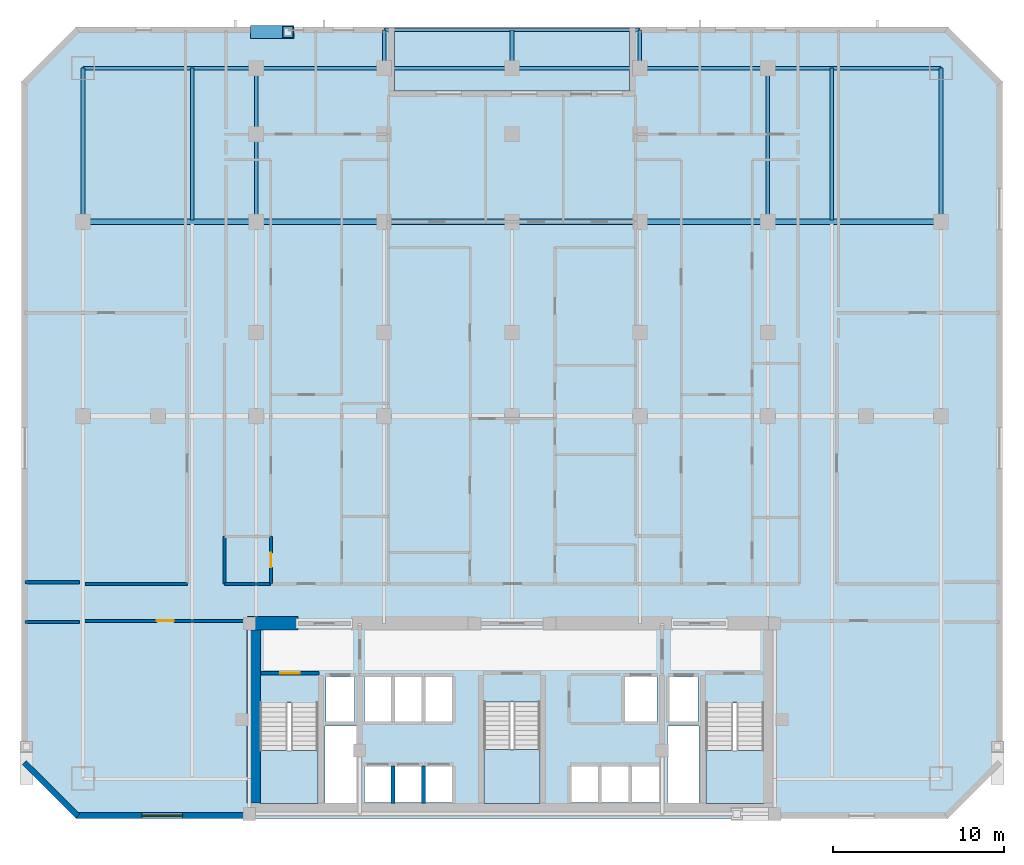
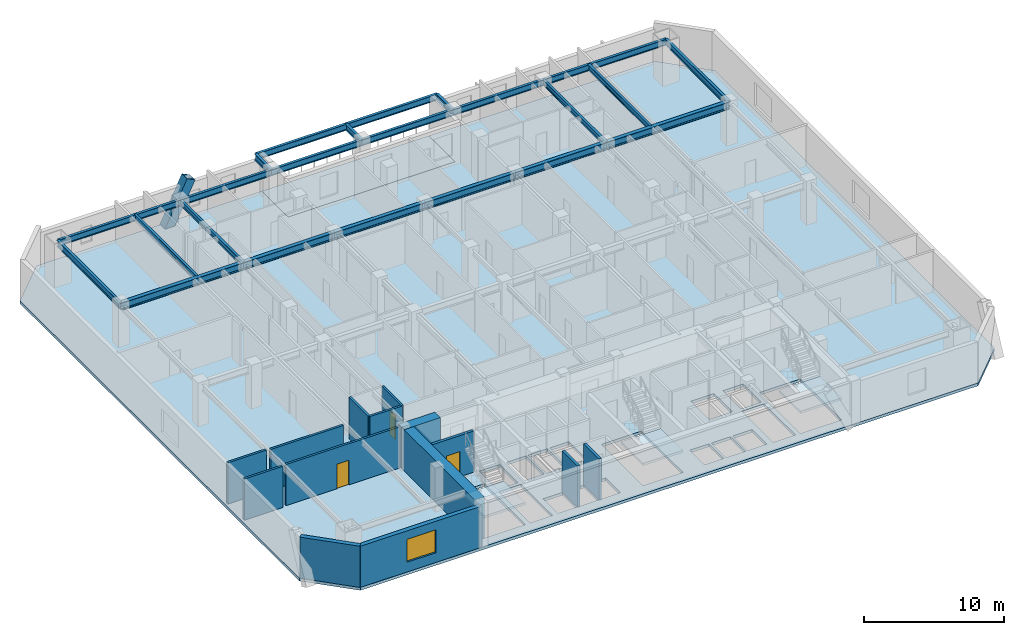
# One storey, part 2 of 10: 23 beams, 14 walls, 5 slabs, 3 doors, 1 member, 1 window, 4 openings, 3 elements without a shape of their own.
"""IFC4 building model written with IfcOpenShell, lengths in metres."""

import ifcopenshell
import ifcopenshell.guid

model = None  # the IFC model being written
_history = None  # IfcOwnerHistory: only IFC2X3 demands one
_inside = {}  # id of a spatial element -> (the spatial element, [elements in it])
_under = {}  # id of a project, library or spatial element -> (it, [spatial elements below it])
_declared = {}  # id of a project -> (the project, [libraries it declares])
_typed = {}  # id of a type object -> (the type object, [elements of that type])
_made_of = {}  # id of a material, layer set ... -> (it, [elements and type objects made of it])


def new_model(schema):
    """Start an empty IFC model of exactly this schema.

    Asked for "IFC4X3", IfcOpenShell would pick the latest addendum, in which some entities
    have other attributes; the version numbers below select the first issue.
    IFC2X3 requires an IfcOwnerHistory on every rooted entity: one is made here for all.
    """
    global model, _history
    if schema == "IFC4X3":
        model = ifcopenshell.file(schema_version=(4, 3, 0, 0))
    else:
        model = ifcopenshell.file(schema=schema)
    _inside.clear()
    _under.clear()
    _declared.clear()
    _typed.clear()
    _made_of.clear()
    _history = None
    if model.schema == "IFC2X3":
        org = make("IfcOrganization", Name="unknown")
        user = make(
            "IfcPersonAndOrganization",
            ThePerson=make("IfcPerson", FamilyName="unknown"),
            TheOrganization=org,
        )
        app = make(
            "IfcApplication",
            ApplicationDeveloper=org,
            Version="unknown",
            ApplicationFullName="unknown",
            ApplicationIdentifier="unknown",
        )
        _history = make(
            "IfcOwnerHistory",
            OwningUser=user,
            OwningApplication=app,
            ChangeAction="ADDED",
            CreationDate=0,
        )
    return model


def make(cls, **values):
    """One entity of the class cls with the attributes given. An attribute that is None is left unset."""
    return model.create_entity(
        cls, **{name: value for name, value in values.items() if value is not None}
    )


def rooted(cls, **values):
    """An entity with a GlobalId (a new one), such as an element, a storey or a relation."""
    return make(cls, GlobalId=ifcopenshell.guid.new(), OwnerHistory=_history, **values)


def si_unit(unit_type, name, prefix=None):
    """IfcSIUnit, for example si_unit("LENGTHUNIT", "METRE", prefix="MILLI")."""
    return make("IfcSIUnit", UnitType=unit_type, Prefix=prefix, Name=name)


def assignment(units):
    """IfcUnitAssignment: the units of a project."""
    return None if units is None else make("IfcUnitAssignment", Units=units)


def point(xyz):
    """IfcCartesianPoint."""
    return None if xyz is None else make("IfcCartesianPoint", Coordinates=xyz)


def direction(xyz):
    """IfcDirection."""
    return None if xyz is None else make("IfcDirection", DirectionRatios=xyz)


def frame(location, z_axis=None, x_axis=None):
    """IfcAxis2Placement3D, a coordinate frame: its origin and axes. An axis left out is left unset."""
    return make(
        "IfcAxis2Placement3D",
        Location=point(location),
        Axis=direction(z_axis),
        RefDirection=direction(x_axis),
    )


def frame_2d(location, x_axis=None):
    """IfcAxis2Placement2D, a coordinate frame in the plane: its origin and x axis."""
    return make(
        "IfcAxis2Placement2D", Location=point(location), RefDirection=direction(x_axis)
    )


def origin():
    """The frame at (0, 0, 0) with its axes left unset."""
    return frame((0.0, 0.0, 0.0))


def origin_2d():
    """The frame at (0, 0) in the plane with its x axis left unset."""
    return frame_2d((0.0, 0.0))


def place(relative_to, where):
    """IfcLocalPlacement: puts the frame where relative to a parent placement (None: the world)."""
    return make(
        "IfcLocalPlacement", PlacementRelTo=relative_to, RelativePlacement=where
    )


def context(
    kind, dimensions, precision=None, world=None, true_north=None, identifier=None
):
    """IfcGeometricRepresentationContext, for example the 3D "Model" context."""
    return make(
        "IfcGeometricRepresentationContext",
        ContextIdentifier=identifier,
        ContextType=kind,
        CoordinateSpaceDimension=dimensions,
        Precision=precision,
        WorldCoordinateSystem=world,
        TrueNorth=true_north,
    )


def subcontext(parent, identifier, kind, view, scale=None):
    """IfcGeometricRepresentationSubContext, for example "Body" below "Model"."""
    return make(
        "IfcGeometricRepresentationSubContext",
        ContextIdentifier=identifier,
        ContextType=kind,
        ParentContext=parent,
        TargetScale=scale,
        TargetView=view,
    )


def project(units=None, contexts=None):
    """IfcProject with its units and contexts."""
    return rooted(
        "IfcProject",
        Name="project",
        RepresentationContexts=contexts,
        UnitsInContext=assignment(units),
    )


def spatial(cls, under=None, at=None, **own):
    """A site, building, storey or space (cls), placed at a placement, below another one or the project."""
    s = rooted(cls, ObjectPlacement=at, **own)
    if under is not None:
        _under.setdefault(under.id(), (under, []))[1].append(s)
    return s


def polyline(points):
    """IfcPolyline through the points."""
    return make("IfcPolyline", Points=[point(p) for p in points])


def profile(cls, at=None, kind="AREA", **sizes):
    """A parametric profile (cls). Its sizes go by their IFC names, for example OverallWidth=200.0."""
    return make(cls, ProfileType=kind, Position=at, **sizes)


def rectangle(**sizes):
    """IfcRectangleProfileDef."""
    return profile("IfcRectangleProfileDef", **sizes)


def hollow_rectangle(**sizes):
    """IfcRectangleHollowProfileDef."""
    return profile("IfcRectangleHollowProfileDef", **sizes)


def i_section(**sizes):
    """IfcIShapeProfileDef."""
    return profile("IfcIShapeProfileDef", **sizes)


def outline(outer, holes=None, kind="AREA"):
    """IfcArbitraryClosedProfileDef: a profile drawn as a closed curve; with holes, ...WithVoids."""
    if holes is None:
        return make("IfcArbitraryClosedProfileDef", ProfileType=kind, OuterCurve=outer)
    return make(
        "IfcArbitraryProfileDefWithVoids",
        ProfileType=kind,
        OuterCurve=outer,
        InnerCurves=holes,
    )


def extrude(swept, where, along, depth):
    """IfcExtrudedAreaSolid: the profile swept, set in the frame where, extruded along a direction by depth."""
    return make(
        "IfcExtrudedAreaSolid",
        SweptArea=swept,
        Position=where,
        ExtrudedDirection=direction(along),
        Depth=depth,
    )


def shape(context_of_items, identifier, shape_type, items):
    """IfcShapeRepresentation: the items that make up one representation, for example the "Body"."""
    return make(
        "IfcShapeRepresentation",
        ContextOfItems=context_of_items,
        RepresentationIdentifier=identifier,
        RepresentationType=shape_type,
        Items=items,
    )


def material(Name=None, Category=None):
    """IfcMaterial."""
    return make("IfcMaterial", Name=Name, Category=Category)


def layer(
    of_material, thickness, ventilated=None, Name=None, Category=None, Priority=None
):
    """IfcMaterialLayer: one layer of a wall or slab, of a material (None: an air gap)."""
    return make(
        "IfcMaterialLayer",
        Material=of_material,
        LayerThickness=thickness,
        IsVentilated=ventilated,
        Name=Name,
        Category=Category,
        Priority=Priority,
    )


def layer_set(layers, Name=None):
    """IfcMaterialLayerSet."""
    return make("IfcMaterialLayerSet", MaterialLayers=layers, LayerSetName=Name)


def material_profile(
    of_material, cross_section, Name=None, Category=None, Priority=None
):
    """IfcMaterialProfile: a cross section and its material."""
    return make(
        "IfcMaterialProfile",
        Name=Name,
        Material=of_material,
        Profile=cross_section,
        Priority=Priority,
        Category=Category,
    )


def profile_set(profiles, Name=None, composite=None):
    """IfcMaterialProfileSet."""
    return make(
        "IfcMaterialProfileSet",
        Name=Name,
        MaterialProfiles=profiles,
        CompositeProfile=composite,
    )


def made_of(thing, what):
    """Note that an element or type object is made of a material, layer set ...; save() writes the relation."""
    if what is not None:
        _made_of.setdefault(what.id(), (what, []))[1].append(thing)
    return thing


def type_object(cls, material=None, **own):
    """A type object (cls), such as IfcWallType, which elements share."""
    return made_of(rooted(cls, **own), material)


def element(
    cls,
    number,
    at=None,
    inside=None,
    cuts=None,
    type_object=None,
    material=None,
    context=None,
    identifier="Body",
    shape_type=None,
    held_by="IfcProductDefinitionShape",
    body=None,
    shapes=None,
    **own,
):
    """One element of the class cls, such as IfcWall. Its Tag is "e" and its number.

    at: its placement. inside: the storey or other place that contains it. cuts: it is an
    opening in that element (IfcRelVoidsElement). A single representation is given by context,
    identifier, shape_type and body (its items); several are given by shapes. held_by: the class
    of the entity that holds the representations. save() writes the other relations.
    """
    e = rooted(cls, Tag="e%d" % number, ObjectPlacement=at, **own)
    if body is not None:
        shapes = [shape(context, identifier, shape_type, body)]
    if shapes is not None:
        e.Representation = make(held_by, Representations=shapes)
    if inside is not None:
        _inside.setdefault(inside.id(), (inside, []))[1].append(e)
    if cuts is not None:
        rooted(
            "IfcRelVoidsElement", RelatingBuildingElement=cuts, RelatedOpeningElement=e
        )
    if type_object is not None:
        _typed.setdefault(type_object.id(), (type_object, []))[1].append(e)
    return made_of(e, material)


def fill(opening, filler):
    """IfcRelFillsElement: the door or window that sits in an opening."""
    return rooted(
        "IfcRelFillsElement",
        RelatingOpeningElement=opening,
        RelatedBuildingElement=filler,
    )


def aggregate(whole, parts):
    """IfcRelAggregates: a whole, such as a stair, and the parts it consists of."""
    return rooted("IfcRelAggregates", RelatingObject=whole, RelatedObjects=parts)


def save(model, path):
    """Write the relations noted so far, then the file.

    IfcRelAggregates (storeys below a building ...), IfcRelContainedInSpatialStructure (elements
    in a storey), IfcRelDefinesByType, IfcRelAssociatesMaterial and IfcRelDeclares: one each for
    every whole, place, type object, material and project.
    """
    for whole, parts in _under.values():
        aggregate(whole, parts)
    for where, things in _inside.values():
        rooted(
            "IfcRelContainedInSpatialStructure",
            RelatedElements=things,
            RelatingStructure=where,
        )
    for kind, things in _typed.values():
        rooted("IfcRelDefinesByType", RelatedObjects=things, RelatingType=kind)
    for what, things in _made_of.values():
        rooted("IfcRelAssociatesMaterial", RelatedObjects=things, RelatingMaterial=what)
    for by, libraries in _declared.values():
        rooted("IfcRelDeclares", RelatingContext=by, RelatedDefinitions=libraries)
    model.write(path)


model = new_model("IFC4")

# Units and contexts
model_context = context("Model", 3, precision=1e-05, world=origin(), true_north=direction((0.0, 1.0)))
body_context = subcontext(model_context, "Body", "Model", "MODEL_VIEW")
ifc_project = project(units=[si_unit("LENGTHUNIT", "METRE"), si_unit("AREAUNIT", "SQUARE_METRE"), si_unit("VOLUMEUNIT", "CUBIC_METRE"), si_unit("PLANEANGLEUNIT", "RADIAN"), si_unit("MASSUNIT", "GRAM", prefix="KILO")], contexts=[model_context])

# Site, building, storey
site_placement = place(None, origin())
site = spatial("IfcSite", under=ifc_project, at=site_placement, CompositionType="ELEMENT")
building_placement = place(site_placement, origin())
building = spatial("IfcBuilding", under=site, at=building_placement, Name="Ventersveld Concourse Tower", CompositionType="ELEMENT")
storey_placement = place(building_placement, frame((0.0, 0.0, 60.60009765625)))
storey = spatial("IfcBuildingStorey", under=building, at=storey_placement, Name="L14", CompositionType="ELEMENT", Elevation=60.60009765625)

# Beams
ifc_material_1 = material(Name="Structural steel S355J2", Category="steel")
ifc_material_profile_1 = material_profile(ifc_material_1, i_section(OverallWidth=0.19140625, OverallDepth=0.4599609375, WebThickness=0.010009765625, FlangeThickness=0.01611328125, FilletRadius=0.01025390625, at=origin_2d()), Name="UB 457x191x82")
ifc_profile_set_1 = profile_set([ifc_material_profile_1], Name="Structural steel S355J2")
beam_type_1 = type_object("IfcBeamType", Name="BM-UB457H", PredefinedType="BEAM", material=ifc_profile_set_1)
beam_1_placement = place(storey_placement, frame((10.0, 35.094970703125, 3.369873046875), z_axis=(0.0, 1.0, 0.0), x_axis=(-1.0, 0.0, 0.0)))
element("IfcBeam", 1, at=beam_1_placement, inside=storey, type_object=beam_type_1, Name="L14 N-S Composite Floor Beam North X=10.00", PredefinedType="BEAM", context=body_context, shape_type="SweptSolid", body=[
    extrude(i_section(OverallWidth=0.19140625, OverallDepth=0.4599609375, WebThickness=0.010009765625, FlangeThickness=0.01611328125, FilletRadius=0.01025390625, at=origin_2d()), origin(), (0.0, 0.0, 1.0), 8.905029296875),
])
for number, where, z_axis, x_axis, name in (
    (2, (13.75, 35.0, 3.369873046875), (0.0, 1.0, 0.0), (-1.0, 0.0, 0.0), "L14 N-S Composite Floor Beam North X=13.75"),
    (3, (43.75, 35.0, 3.369873046875), (0.0, 1.0, 0.0), (-1.0, 0.0, 0.0), "L14 N-S Composite Floor Beam North X=43.75"),
):
    element("IfcBeam", number, at=place(storey_placement, frame(where, z_axis=z_axis, x_axis=x_axis)), inside=storey, type_object=beam_type_1, Name=name, PredefinedType="BEAM", context=body_context, shape_type="SweptSolid", body=[
        extrude(i_section(OverallWidth=0.19140625, OverallDepth=0.4599609375, WebThickness=0.010009765625, FlangeThickness=0.01611328125, FilletRadius=0.01025390625, at=origin_2d()), origin(), (0.0, 0.0, 1.0), 9.0),
    ])
beam_2_placement = place(storey_placement, frame((47.5, 35.094970703125, 3.369873046875), z_axis=(0.0, 1.0, 0.0), x_axis=(-1.0, 0.0, 0.0)))
element("IfcBeam", 4, at=beam_2_placement, inside=storey, type_object=beam_type_1, Name="L14 N-S Composite Floor Beam North X=47.50", PredefinedType="BEAM", context=body_context, shape_type="SweptSolid", body=[
    extrude(i_section(OverallWidth=0.19140625, OverallDepth=0.4599609375, WebThickness=0.010009765625, FlangeThickness=0.01611328125, FilletRadius=0.01025390625, at=origin_2d()), origin(), (0.0, 0.0, 1.0), 8.905029296875),
])
ifc_material_profile_2 = material_profile(ifc_material_1, i_section(OverallWidth=0.311279296875, OverallDepth=0.6357421875, WebThickness=0.018310546875, FlangeThickness=0.031494140625, FilletRadius=0.0166015625, at=origin_2d()), Name="UB 610x305x238")
ifc_profile_set_2 = profile_set([ifc_material_profile_2], Name="Structural steel S355J2")
beam_type_2 = type_object("IfcBeamType", Name="GRD-UB610H", PredefinedType="USERDEFINED", material=ifc_profile_set_2)
beam_3_placement = place(storey_placement, frame((3.60009765625, 35.0, 3.281982421875), z_axis=(1.0, 0.0, 0.0), x_axis=(0.0, 1.0, 0.0)))
element("IfcBeam", 5, at=beam_3_placement, inside=storey, type_object=beam_type_2, Name="L14 E-W Grid Girder Y=35.00 #1", ObjectType="GIRDER", PredefinedType="USERDEFINED", context=body_context, shape_type="SweptSolid", body=[
    extrude(i_section(OverallWidth=0.311279296875, OverallDepth=0.6357421875, WebThickness=0.018310546875, FlangeThickness=0.031494140625, FilletRadius=0.0166015625, at=origin_2d()), origin(), (0.0, 0.0, 1.0), 10.14990234375),
])
for number, where, z_axis, x_axis, name in (
    (6, (13.75, 35.0, 3.281982421875), (1.0, 0.0, 0.0), (0.0, 1.0, 0.0), "L14 E-W Grid Girder Y=35.00 #2"),
    (7, (21.25, 35.0, 3.281982421875), (1.0, 0.0, 0.0), (0.0, 1.0, 0.0), "L14 E-W Grid Girder Y=35.00 #3"),
    (8, (28.75, 35.0, 3.281982421875), (1.0, 0.0, 0.0), (0.0, 1.0, 0.0), "L14 E-W Grid Girder Y=35.00 #4"),
    (9, (36.25, 35.0, 3.281982421875), (1.0, 0.0, 0.0), (0.0, 1.0, 0.0), "L14 E-W Grid Girder Y=35.00 #5"),
):
    element("IfcBeam", number, at=place(storey_placement, frame(where, z_axis=z_axis, x_axis=x_axis)), inside=storey, type_object=beam_type_2, Name=name, ObjectType="GIRDER", PredefinedType="USERDEFINED", context=body_context, shape_type="SweptSolid", body=[
        extrude(i_section(OverallWidth=0.311279296875, OverallDepth=0.6357421875, WebThickness=0.018310546875, FlangeThickness=0.031494140625, FilletRadius=0.0166015625, at=origin_2d()), origin(), (0.0, 0.0, 1.0), 7.5),
    ])
beam_4_placement = place(storey_placement, frame((43.75, 35.0, 3.281982421875), z_axis=(1.0, 0.0, 0.0), x_axis=(0.0, 1.0, 0.0)))
element("IfcBeam", 10, at=beam_4_placement, inside=storey, type_object=beam_type_2, Name="L14 E-W Grid Girder Y=35.00 #6", ObjectType="GIRDER", PredefinedType="USERDEFINED", context=body_context, shape_type="SweptSolid", body=[
    extrude(i_section(OverallWidth=0.311279296875, OverallDepth=0.6357421875, WebThickness=0.018310546875, FlangeThickness=0.031494140625, FilletRadius=0.0166015625, at=origin_2d()), origin(), (0.0, 0.0, 1.0), 10.14990234375),
])

# Member
ifc_material_2 = material(Name="Structural steel S355ML", Category="steel")
ifc_material_profile_3 = material_profile(ifc_material_2, hollow_rectangle(XDim=0.75, YDim=0.75, WallThickness=0.044921875, at=origin_2d()), Name="BOX 750x750x45")
ifc_profile_set_3 = profile_set([ifc_material_profile_3], Name="Structural steel S355ML")
member_type = type_object("IfcMemberType", Name="MB-750x750", PredefinedType="BRACE", material=ifc_profile_set_3)
member_placement = place(storey_placement, frame((13.75, 46.1201171875, -0.25), z_axis=(0.437861906815, 0.0, 0.899042240699), x_axis=(0.0, 1.0, 0.0)))
element("IfcMember", 11, at=member_placement, inside=storey, type_object=member_type, Name="L14 Exterior Mega-Brace N (Module M03)", PredefinedType="BRACE", context=body_context, shape_type="SweptSolid", body=[
    extrude(hollow_rectangle(XDim=0.75, YDim=0.75, WallThickness=0.044921875, at=origin_2d()), origin(), (0.0, 0.0, 1.0), 4.2822265625),
])

# Beams
ifc_material_profile_4 = material_profile(ifc_material_1, i_section(OverallWidth=0.2119140625, OverallDepth=0.54443359375, WebThickness=0.0126953125, FlangeThickness=0.021240234375, FilletRadius=0.0126953125, at=origin_2d()), Name="UB 533x210x122")
ifc_profile_set_4 = profile_set([ifc_material_profile_4], Name="Structural steel S355J2")
beam_type_3 = type_object("IfcBeamType", Name="SPD-UB533", PredefinedType="SPANDREL", material=ifc_profile_set_4)
for number, where, z_axis, x_axis, name in (
    (12, (3.60009765625, 35.0, 3.32763671875), (0.0, 1.0, 0.0), (-1.0, 0.0, 0.0), "L14 West Spandrel Beam N"),
    (13, (53.89990234375, 35.0, 3.32763671875), (0.0, 1.0, 0.0), (-1.0, 0.0, 0.0), "L14 East Spandrel Beam N"),
):
    element("IfcBeam", number, at=place(storey_placement, frame(where, z_axis=z_axis, x_axis=x_axis)), inside=storey, type_object=beam_type_3, Name=name, PredefinedType="SPANDREL", context=body_context, shape_type="SweptSolid", body=[
        extrude(i_section(OverallWidth=0.2119140625, OverallDepth=0.54443359375, WebThickness=0.0126953125, FlangeThickness=0.021240234375, FilletRadius=0.0126953125, at=origin_2d()), origin(), (0.0, 0.0, 1.0), 9.0),
    ])
for number, where, z_axis, x_axis, name in (
    (14, (21.25, 44.0, 3.32763671875), (0.0, 1.0, 0.0), (-1.0, 0.0, 0.0), "L14 Terrace Bracket W"),
    (15, (28.75, 44.0, 3.32763671875), (0.0, 1.0, 0.0), (-1.0, 0.0, 0.0), "L14 Terrace Bracket C"),
    (16, (36.25, 44.0, 3.32763671875), (0.0, 1.0, 0.0), (-1.0, 0.0, 0.0), "L14 Terrace Bracket E"),
):
    element("IfcBeam", number, at=place(storey_placement, frame(where, z_axis=z_axis, x_axis=x_axis)), inside=storey, type_object=beam_type_3, Name=name, PredefinedType="SPANDREL", context=body_context, shape_type="SweptSolid", body=[
        extrude(i_section(OverallWidth=0.2119140625, OverallDepth=0.54443359375, WebThickness=0.0126953125, FlangeThickness=0.021240234375, FilletRadius=0.0126953125, at=origin_2d()), origin(), (0.0, 0.0, 1.0), 2.25),
    ])
for number, where, z_axis, x_axis, name in (
    (17, (21.25, 46.25, 3.32763671875), (1.0, 0.0, 0.0), (0.0, 1.0, 0.0), "L14 Terrace Edge Spandrel W"),
    (18, (28.75, 46.25, 3.32763671875), (1.0, 0.0, 0.0), (0.0, 1.0, 0.0), "L14 Terrace Edge Spandrel E"),
):
    element("IfcBeam", number, at=place(storey_placement, frame(where, z_axis=z_axis, x_axis=x_axis)), inside=storey, type_object=beam_type_3, Name=name, PredefinedType="SPANDREL", context=body_context, shape_type="SweptSolid", body=[
        extrude(i_section(OverallWidth=0.2119140625, OverallDepth=0.54443359375, WebThickness=0.0126953125, FlangeThickness=0.021240234375, FilletRadius=0.0126953125, at=origin_2d()), origin(), (0.0, 0.0, 1.0), 7.5),
    ])
beam_5_placement = place(storey_placement, frame((3.60009765625, 44.0, 3.32763671875), z_axis=(1.0, 0.0, 0.0), x_axis=(0.0, 1.0, 0.0)))
element("IfcBeam", 19, at=beam_5_placement, inside=storey, type_object=beam_type_3, Name="L14 North Spandrel Girder Y=44.00 #1", PredefinedType="SPANDREL", context=body_context, shape_type="SweptSolid", body=[
    extrude(i_section(OverallWidth=0.2119140625, OverallDepth=0.54443359375, WebThickness=0.0126953125, FlangeThickness=0.021240234375, FilletRadius=0.0126953125, at=origin_2d()), origin(), (0.0, 0.0, 1.0), 10.14990234375),
])
for number, where, z_axis, x_axis, name in (
    (20, (13.75, 44.0, 3.32763671875), (1.0, 0.0, 0.0), (0.0, 1.0, 0.0), "L14 North Spandrel Girder Y=44.00 #2"),
    (21, (21.25, 44.0, 3.32763671875), (1.0, 0.0, 0.0), (0.0, 1.0, 0.0), "L14 North Spandrel Girder Y=44.00 #3"),
    (22, (28.75, 44.0, 3.32763671875), (1.0, 0.0, 0.0), (0.0, 1.0, 0.0), "L14 North Spandrel Girder Y=44.00 #4"),
    (23, (36.25, 44.0, 3.32763671875), (1.0, 0.0, 0.0), (0.0, 1.0, 0.0), "L14 North Spandrel Girder Y=44.00 #5"),
):
    element("IfcBeam", number, at=place(storey_placement, frame(where, z_axis=z_axis, x_axis=x_axis)), inside=storey, type_object=beam_type_3, Name=name, PredefinedType="SPANDREL", context=body_context, shape_type="SweptSolid", body=[
        extrude(i_section(OverallWidth=0.2119140625, OverallDepth=0.54443359375, WebThickness=0.0126953125, FlangeThickness=0.021240234375, FilletRadius=0.0126953125, at=origin_2d()), origin(), (0.0, 0.0, 1.0), 7.5),
    ])
beam_6_placement = place(storey_placement, frame((43.75, 44.0, 3.32763671875), z_axis=(1.0, 0.0, 0.0), x_axis=(0.0, 1.0, 0.0)))
element("IfcBeam", 24, at=beam_6_placement, inside=storey, type_object=beam_type_3, Name="L14 North Spandrel Girder Y=44.00 #6", PredefinedType="SPANDREL", context=body_context, shape_type="SweptSolid", body=[
    extrude(i_section(OverallWidth=0.2119140625, OverallDepth=0.54443359375, WebThickness=0.0126953125, FlangeThickness=0.021240234375, FilletRadius=0.0126953125, at=origin_2d()), origin(), (0.0, 0.0, 1.0), 10.14990234375),
])

# Slabs
ifc_material_3 = material(Name="Concrete C50/60", Category="concrete")
ifc_layer_1 = layer(ifc_material_3, 0.25)
ifc_layer_set_1 = layer_set([ifc_layer_1], Name="Concrete C50/60")
slab_type_1 = type_object("IfcSlabType", Name="SL-FLR-250", PredefinedType="FLOOR", material=ifc_layer_set_1)
slab_1_placement = place(storey_placement, frame((0.0, 0.0, -0.25)))
element("IfcSlab", 25, at=slab_1_placement, inside=storey, type_object=slab_type_1, Name="L14 Composite Floor Slab", PredefinedType="FLOOR", context=body_context, shape_type="SweptSolid", body=[
    extrude(outline(polyline([(3.199951171875, 0.0), (54.300048828125, 0.0), (57.5, 3.199951171875), (57.5, 43.199951171875), (54.300048828125, 46.39990234375), (35.64990234375, 46.39990234375), (35.64990234375, 42.64990234375), (21.85009765625, 42.64990234375), (21.85009765625, 46.39990234375), (3.199951171875, 46.39990234375), (0.0, 43.199951171875), (0.0, 3.199951171875), (3.199951171875, 0.0)]), holes=[polyline([(13.97998046875, 6.794921875), (13.97998046875, 0.89990234375), (17.3798828125, 0.89990234375), (17.3798828125, 6.794921875), (13.97998046875, 6.794921875)]), polyline([(40.1201171875, 6.794921875), (40.1201171875, 0.89990234375), (43.52001953125, 0.89990234375), (43.52001953125, 6.794921875), (40.1201171875, 6.794921875)]), polyline([(27.10009765625, 6.844970703125), (27.10009765625, 0.89990234375), (30.39990234375, 0.89990234375), (30.39990234375, 6.844970703125), (27.10009765625, 6.844970703125)]), polyline([(17.85009765625, 5.699951171875), (19.530029296875, 5.699951171875), (19.530029296875, 8.300048828125), (17.85009765625, 8.300048828125), (17.85009765625, 5.699951171875)]), polyline([(37.969970703125, 5.699951171875), (39.64990234375, 5.699951171875), (39.64990234375, 8.300048828125), (37.969970703125, 8.300048828125), (37.969970703125, 5.699951171875)]), polyline([(35.35009765625, 5.699951171875), (37.25, 5.699951171875), (37.25, 8.300048828125), (35.35009765625, 8.300048828125), (35.35009765625, 5.699951171875)]), polyline([(20.090087890625, 0.949951171875), (21.68994140625, 0.949951171875), (21.68994140625, 3.050048828125), (20.090087890625, 3.050048828125), (20.090087890625, 0.949951171875)]), polyline([(21.8701171875, 0.949951171875), (23.469970703125, 0.949951171875), (23.469970703125, 3.050048828125), (21.8701171875, 3.050048828125), (21.8701171875, 0.949951171875)]), polyline([(23.64990234375, 0.949951171875), (25.25, 0.949951171875), (25.25, 3.050048828125), (23.64990234375, 3.050048828125), (23.64990234375, 0.949951171875)]), polyline([(32.2099609375, 0.949951171875), (33.81005859375, 0.949951171875), (33.81005859375, 3.050048828125), (32.2099609375, 3.050048828125), (32.2099609375, 0.949951171875)]), polyline([(33.989990234375, 0.949951171875), (35.590087890625, 0.949951171875), (35.590087890625, 3.050048828125), (33.989990234375, 3.050048828125), (33.989990234375, 0.949951171875)]), polyline([(35.77001953125, 0.949951171875), (37.3701171875, 0.949951171875), (37.3701171875, 3.050048828125), (35.77001953125, 3.050048828125), (35.77001953125, 0.949951171875)]), polyline([(20.090087890625, 5.699951171875), (21.68994140625, 5.699951171875), (21.68994140625, 8.300048828125), (20.090087890625, 8.300048828125), (20.090087890625, 5.699951171875)]), polyline([(21.8701171875, 5.699951171875), (23.469970703125, 5.699951171875), (23.469970703125, 8.300048828125), (21.8701171875, 8.300048828125), (21.8701171875, 5.699951171875)]), polyline([(23.64990234375, 5.699951171875), (25.25, 5.699951171875), (25.25, 8.300048828125), (23.64990234375, 8.300048828125), (23.64990234375, 5.699951171875)]), polyline([(17.780029296875, 0.919921875), (19.6201171875, 0.919921875), (19.6201171875, 5.419921875), (17.780029296875, 5.419921875), (17.780029296875, 0.919921875)]), polyline([(37.8798828125, 0.919921875), (39.719970703125, 0.919921875), (39.719970703125, 5.419921875), (37.8798828125, 5.419921875), (37.8798828125, 0.919921875)])]), origin(), (0.0, 0.0, 1.0), 0.25),
])
slab_2_placement = place(storey_placement, frame((0.0, 0.0, -0.25)))
element("IfcSlab", 26, at=slab_2_placement, inside=storey, type_object=slab_type_1, Name="L14 Outdoor Terrace Slab NOTCH-N", PredefinedType="FLOOR", context=body_context, shape_type="SweptSolid", body=[
    extrude(outline(polyline([(21.85009765625, 42.64990234375), (35.64990234375, 42.64990234375), (35.64990234375, 46.39990234375), (21.85009765625, 46.39990234375), (21.85009765625, 42.64990234375)])), origin(), (0.0, 0.0, 1.0), 0.25),
])

# Stair, slab
stair_type_1 = type_object("IfcStairType", Name="ST-DOG-160", PredefinedType="HALF_TURN_STAIR", material=ifc_material_3)
stair_1_placement = place(storey_placement, origin())
stair_1 = element("IfcStair", 27, at=stair_1_placement, inside=storey, type_object=stair_type_1, Name="L14 Protected Tower Escape Stair ST-01", PredefinedType="HALF_TURN_STAIR")
ifc_layer_2 = layer(ifc_material_3, 0.199951171875)
ifc_layer_set_2 = layer_set([ifc_layer_2], Name="Concrete C50/60")
slab_type_2 = type_object("IfcSlabType", Name="SL-LND-200", PredefinedType="LANDING", material=ifc_layer_set_2)
slab_3_placement = place(storey_placement, frame((0.0, 0.0, 1.724853515625)))
slab_3 = element("IfcSlab", 28, at=slab_3_placement, type_object=slab_type_2, Name="ST-01 landing 1", PredefinedType="LANDING", context=body_context, shape_type="SweptSolid", body=[
    extrude(outline(polyline([(13.97998046875, 4.0), (13.97998046875, 0.89990234375), (17.3798828125, 0.89990234375), (17.3798828125, 4.0), (13.97998046875, 4.0)])), origin(), (0.0, 0.0, 1.0), 0.199951171875),
])
aggregate(stair_1, [slab_3])

stair_2_placement = place(storey_placement, origin())
stair_2 = element("IfcStair", 29, at=stair_2_placement, inside=storey, type_object=stair_type_1, Name="L14 Protected Tower Escape Stair ST-02", PredefinedType="HALF_TURN_STAIR")
slab_4_placement = place(storey_placement, frame((0.0, 0.0, 1.724853515625)))
slab_4 = element("IfcSlab", 30, at=slab_4_placement, type_object=slab_type_2, Name="ST-02 landing 1", PredefinedType="LANDING", context=body_context, shape_type="SweptSolid", body=[
    extrude(outline(polyline([(40.1201171875, 4.0), (40.1201171875, 0.89990234375), (43.52001953125, 0.89990234375), (43.52001953125, 4.0), (40.1201171875, 4.0)])), origin(), (0.0, 0.0, 1.0), 0.199951171875),
])
aggregate(stair_2, [slab_4])

stair_type_2 = type_object("IfcStairType", Name="ST-DOG-155", PredefinedType="HALF_TURN_STAIR", material=ifc_material_3)
stair_3_placement = place(storey_placement, origin())
stair_3 = element("IfcStair", 31, at=stair_3_placement, inside=storey, type_object=stair_type_2, Name="L14 Protected Central Core Escape Stair ST-03", PredefinedType="HALF_TURN_STAIR")
slab_5_placement = place(storey_placement, frame((0.0, 0.0, 1.724853515625)))
slab_5 = element("IfcSlab", 32, at=slab_5_placement, type_object=slab_type_2, Name="ST-03 landing 1", PredefinedType="LANDING", context=body_context, shape_type="SweptSolid", body=[
    extrude(outline(polyline([(27.10009765625, 4.050048828125), (27.10009765625, 0.89990234375), (30.39990234375, 0.89990234375), (30.39990234375, 4.050048828125), (27.10009765625, 4.050048828125)])), origin(), (0.0, 0.0, 1.0), 0.199951171875),
])
aggregate(stair_3, [slab_5])

# Walls
ifc_material_4 = material(Name="Concrete C60/75", Category="concrete")
ifc_layer_3 = layer(ifc_material_4, 0.800048828125)
ifc_layer_set_3 = layer_set([ifc_layer_3], Name="Concrete C60/75")
wall_type_1 = type_object("IfcWallType", Name="WL-CORE-800", PredefinedType="SHEAR", material=ifc_layer_set_3)
wall_1_placement = place(storey_placement, frame((13.60009765625, 0.919921875, 0.0), z_axis=(0.0, 0.0, 1.0), x_axis=(0.0, 1.0, 0.0)))
element("IfcWall", 33, at=wall_1_placement, inside=storey, type_object=wall_type_1, Name="L14 Rear Core West Shear Wall", PredefinedType="SHEAR", context=body_context, shape_type="SweptSolid", body=[
    extrude(rectangle(XDim=10.530029296875, YDim=0.800048828125, at=frame_2d((5.26513671875, 0.0))), origin(), (0.0, 0.0, 1.0), 3.599853515625),
])
wall_2_placement = place(storey_placement, frame((13.25, 11.449951171875, 0.0), z_axis=(0.0, 0.0, 1.0), x_axis=(1.0, 0.0, 0.0)))
element("IfcWall", 34, at=wall_2_placement, inside=storey, type_object=wall_type_1, Name="L14 Rear Core North Shear Wall NW", PredefinedType="SHEAR", context=body_context, shape_type="SweptSolid", body=[
    extrude(rectangle(XDim=2.949951171875, YDim=0.800048828125, at=frame_2d((1.47509765625, 0.0))), origin(), (0.0, 0.0, 1.0), 3.599853515625),
])

# Wall, opening, door
ifc_material_5 = material(Name="Fire-rated autoclaved aerated masonry blockwork", Category="masonry")
ifc_layer_4 = layer(ifc_material_5, 0.179931640625)
ifc_layer_set_4 = layer_set([ifc_layer_4], Name="Fire-rated autoclaved aerated masonry blockwork")
wall_type_2 = type_object("IfcWallType", Name="WL-CORR-180", PredefinedType="PARTITIONING", material=ifc_layer_set_4)
wall_3_placement = place(storey_placement, frame((3.705078125, 11.60009765625, 0.0), z_axis=(0.0, 0.0, 1.0), x_axis=(1.0, 0.0, 0.0)))
wall_3 = element("IfcWall", 35, at=wall_3_placement, inside=storey, type_object=wall_type_2, Name="L14 Interior Partition SP-L14-SW-GAL-SP-L14-COR", PredefinedType="PARTITIONING", context=body_context, shape_type="SweptSolid", body=[
    extrude(rectangle(XDim=9.43994140625, YDim=0.179931640625, at=frame_2d((4.719970703125, 0.0))), origin(), (0.0, 0.0, 1.0), 3.599853515625),
])
opening_1_placement = place(wall_3_placement, frame((4.219970703125, 0.0, 0.0)))
opening_1 = element("IfcOpeningElement", 36, at=opening_1_placement, cuts=wall_3, Name="Opening FD3", PredefinedType="OPENING", context=body_context, shape_type="SweptSolid", body=[
    extrude(rectangle(XDim=1.0, YDim=2.14990234375, at=frame_2d((0.5, 1.074951171875))), frame((0.0, 0.10009765625, 0.0), z_axis=(0.0, -1.0, 0.0), x_axis=(1.0, 0.0, 0.0)), (0.0, 0.0, 1.0), 0.199951171875),
])
ifc_material_6 = material(Name="Solid-core hardwood veneer timber", Category="wood")
door_type_1 = type_object("IfcDoorType", Name="DR-FLAT-100", OperationType="NOTDEFINED", PredefinedType="DOOR", material=ifc_material_6)
door_1_placement = place(opening_1_placement, origin())
door_1 = element("IfcDoor", 37, at=door_1_placement, inside=storey, type_object=door_type_1, Name="L14 Interior Door SP-L14-SW-GAL to SP-L14-COR (D-L14-0605)", OperationType="SINGLE_SWING_LEFT", OverallHeight=2.14990234375, OverallWidth=1.0, PredefinedType="DOOR", context=body_context, shape_type="SweptSolid", body=[
    extrude(rectangle(XDim=1.0, YDim=2.14990234375, at=frame_2d((0.5, 1.074951171875))), frame((0.0, 0.02490234375, 0.0), z_axis=(0.0, -1.0, 0.0), x_axis=(1.0, 0.0, 0.0)), (0.0, 0.0, 1.0), 0.050048828125),
])
fill(opening_1, door_1)

# Walls
wall_4_placement = place(storey_placement, frame((3.705078125, 13.77001953125, 0.0), z_axis=(0.0, 0.0, 1.0), x_axis=(1.0, 0.0, 0.0)))
element("IfcWall", 38, at=wall_4_placement, inside=storey, type_object=wall_type_2, Name="L14 Interior Partition SP-L14-COR-SP-L14-NWLNG1", PredefinedType="PARTITIONING", context=body_context, shape_type="SweptSolid", body=[
    extrude(rectangle(XDim=6.010009765625, YDim=0.179931640625, at=frame_2d((3.0048828125, 0.0))), origin(), (0.0, 0.0, 1.0), 3.599853515625),
])
wall_5_placement = place(storey_placement, frame((11.889892578125, 13.764892578125, 0.0), z_axis=(0.0, 0.0, 1.0), x_axis=(0.0, 1.0, 0.0)))
element("IfcWall", 39, at=wall_5_placement, inside=storey, type_object=wall_type_2, Name="L14 Interior Partition SP-L14-COR-SP-L14-14CW-BATH", PredefinedType="PARTITIONING", context=body_context, shape_type="SweptSolid", body=[
    extrude(rectangle(XDim=2.779541015625, YDim=0.179931640625, at=frame_2d((1.3896484375, 0.0))), origin(), (0.0, 0.0, 1.0), 3.599853515625),
])
wall_6_placement = place(storey_placement, frame((11.885009765625, 13.77001953125, 0.0), z_axis=(0.0, 0.0, 1.0), x_axis=(1.0, 0.0, 0.0)))
element("IfcWall", 40, at=wall_6_placement, inside=storey, type_object=wall_type_2, Name="L14 Interior Partition SP-L14-COR-SP-L14-14CW-BATH", PredefinedType="PARTITIONING", context=body_context, shape_type="SweptSolid", body=[
    extrude(rectangle(XDim=2.69873046875, YDim=0.179931640625, at=frame_2d((1.349365234375, 0.0))), origin(), (0.0, 0.0, 1.0), 3.599853515625),
])
wall_7_placement = place(storey_placement, frame((0.2099609375, 11.52001953125, 0.0), z_axis=(0.0, 0.0, 1.0), x_axis=(1.0, 0.0, 0.0)))
element("IfcWall", 41, at=wall_7_placement, inside=storey, type_object=wall_type_2, Name="L14 Room Enclosure Wall SP-L14-SW-GAL", PredefinedType="PARTITIONING", context=body_context, shape_type="SweptSolid", body=[
    extrude(rectangle(XDim=3.177734375, YDim=0.179931640625, at=frame_2d((1.5888671875, 0.0))), origin(), (0.0, 0.0, 1.0), 3.599853515625),
])
wall_8_placement = place(storey_placement, frame((3.39013671875, 13.860107421875, 0.0), z_axis=(0.0, 0.0, 1.0), x_axis=(-1.0, 0.0, 0.0)))
element("IfcWall", 42, at=wall_8_placement, inside=storey, type_object=wall_type_2, Name="L14 Room Enclosure Wall SP-L14-NWLNG1", PredefinedType="PARTITIONING", context=body_context, shape_type="SweptSolid", body=[
    extrude(rectangle(XDim=3.18017578125, YDim=0.179931640625, at=frame_2d((1.590087890625, 0.0))), origin(), (0.0, 0.0, 1.0), 3.599853515625),
])
ifc_layer_5 = layer(ifc_material_5, 0.219970703125)
ifc_layer_set_5 = layer_set([ifc_layer_5], Name="Fire-rated autoclaved aerated masonry blockwork")
wall_type_3 = type_object("IfcWallType", Name="WL-HOIST-220", PredefinedType="SOLIDWALL", material=ifc_layer_set_5)
for number, where, z_axis, x_axis, name in (
    (43, (21.780029296875, 0.89990234375, 0.0), (0.0, 0.0, 1.0), (0.0, 1.0, 0.0), "L14 Lift Hoistway Side Wall PL-01E"),
    (44, (23.56005859375, 0.89990234375, 0.0), (0.0, 0.0, 1.0), (0.0, 1.0, 0.0), "L14 Lift Hoistway Side Wall PL-02E"),
):
    element("IfcWall", number, at=place(storey_placement, frame(where, z_axis=z_axis, x_axis=x_axis)), inside=storey, type_object=wall_type_3, Name=name, PredefinedType="SOLIDWALL", context=body_context, shape_type="SweptSolid", body=[
        extrude(rectangle(XDim=2.2001953125, YDim=0.219970703125, at=frame_2d((1.10009765625, 0.0))), origin(), (0.0, 0.0, 1.0), 3.599853515625),
    ])

# Wall, opening, door
wall_9_placement = place(storey_placement, frame((14.0400390625, 8.52001953125, 0.0), z_axis=(0.0, 0.0, 1.0), x_axis=(1.0, 0.0, 0.0)))
wall_9 = element("IfcWall", 45, at=wall_9_placement, inside=storey, type_object=wall_type_3, Name="L14 Escape Stair ST01 Fire Wall", PredefinedType="SOLIDWALL", context=body_context, shape_type="SweptSolid", body=[
    extrude(rectangle(XDim=3.39990234375, YDim=0.219970703125, at=frame_2d((1.699951171875, 0.0))), origin(), (0.0, 0.0, 1.0), 3.599853515625),
])
opening_2_placement = place(wall_9_placement, frame((1.125, 0.0, 0.0)))
opening_2 = element("IfcOpeningElement", 46, at=opening_2_placement, cuts=wall_9, Name="Opening FD1", PredefinedType="OPENING", context=body_context, shape_type="SweptSolid", body=[
    extrude(rectangle(XDim=1.14990234375, YDim=2.199951171875, at=frame_2d((0.574951171875, 1.10009765625))), frame((0.0, 0.1201171875, 0.0), z_axis=(0.0, -1.0, 0.0), x_axis=(1.0, 0.0, 0.0)), (0.0, 0.0, 1.0), 0.239990234375),
])
ifc_material_7 = material(Name="Galvanised painted steel", Category="steel")
door_type_2 = type_object("IfcDoorType", Name="DR-STAIR-115", OperationType="NOTDEFINED", PredefinedType="DOOR", material=ifc_material_7)
door_2_placement = place(opening_2_placement, origin())
door_2 = element("IfcDoor", 47, at=door_2_placement, inside=storey, type_object=door_type_2, Name="L14 Escape Stair Door ST01 (SD-L14-0596)", OperationType="SINGLE_SWING_LEFT", OverallHeight=2.199951171875, OverallWidth=1.14990234375, PredefinedType="DOOR", context=body_context, shape_type="SweptSolid", body=[
    extrude(rectangle(XDim=1.14990234375, YDim=2.199951171875, at=frame_2d((0.574951171875, 1.10009765625))), frame((0.0, 0.02490234375, 0.0), z_axis=(0.0, -1.0, 0.0), x_axis=(1.0, 0.0, 0.0)), (0.0, 0.0, 1.0), 0.050048828125),
])
fill(opening_2, door_2)

# Wall, opening, window
ifc_material_8 = material(Name="Precast concrete C45/55", Category="concrete")
ifc_layer_6 = layer(ifc_material_8, 0.35009765625)
ifc_layer_set_6 = layer_set([ifc_layer_6], Name="Precast concrete C45/55")
wall_type_4 = type_object("IfcWallType", Name="WL-PREC-350", PredefinedType="SOLIDWALL", material=ifc_layer_set_6)
wall_10_placement = place(storey_placement, frame((3.239990234375, 0.179931640625, 0.0), z_axis=(0.0, 0.0, 1.0), x_axis=(1.0, 0.0, 0.0)))
wall_10 = element("IfcWall", 48, at=wall_10_placement, inside=storey, type_object=wall_type_4, Name="L14 South-West Flank Precast Wall", PredefinedType="SOLIDWALL", context=body_context, shape_type="SweptSolid", body=[
    extrude(rectangle(XDim=10.010009765625, YDim=0.35009765625, at=frame_2d((5.0048828125, 0.0))), origin(), (0.0, 0.0, 1.0), 3.599853515625),
])
opening_3_placement = place(wall_10_placement, frame((3.804931640625, 0.0, 0.85009765625)))
opening_3 = element("IfcOpeningElement", 49, at=opening_3_placement, cuts=wall_10, Name="Opening W5", PredefinedType="OPENING", context=body_context, shape_type="SweptSolid", body=[
    extrude(rectangle(XDim=2.39990234375, YDim=2.0, at=frame_2d((1.199951171875, 1.0))), frame((0.0, 0.18505859375, 0.0), z_axis=(0.0, -1.0, 0.0), x_axis=(1.0, 0.0, 0.0)), (0.0, 0.0, 1.0), 0.3701171875),
])
ifc_material_9 = material(Name="Tempered acoustic Low-E IGU", Category="glass")
window_type = type_object("IfcWindowType", Name="WIN-240x210", PartitioningType="SINGLE_PANEL", PredefinedType="WINDOW", material=ifc_material_9)
window_placement = place(opening_3_placement, origin())
window = element("IfcWindow", 50, at=window_placement, inside=storey, type_object=window_type, Name="L14 Punched Low-E Window W-0109", OverallHeight=2.0, OverallWidth=2.39990234375, PartitioningType="SINGLE_PANEL", PredefinedType="WINDOW", context=body_context, shape_type="SweptSolid", body=[
    extrude(rectangle(XDim=2.39990234375, YDim=2.0, at=frame_2d((1.199951171875, 1.0))), frame((0.0, 0.030029296875, 0.0), z_axis=(0.0, -1.0, 0.0), x_axis=(1.0, 0.0, 0.0)), (0.0, 0.0, 1.0), 0.06005859375),
])
fill(opening_3, window)

# Wall
wall_11_placement = place(storey_placement, frame((0.152099609375, 3.29541015625, 0.0), z_axis=(0.0, 0.0, 1.0), x_axis=(0.707106781187, -0.707106781187, 0.0)))
element("IfcWall", 51, at=wall_11_placement, inside=storey, type_object=wall_type_4, Name="L14 Highveld Precast Facade Wall E12", PredefinedType="SOLIDWALL", context=body_context, shape_type="SweptSolid", body=[
    extrude(rectangle(XDim=4.4453125, YDim=0.35009765625, at=frame_2d((2.22265625, 0.0))), origin(), (0.0, 0.0, 1.0), 3.599853515625),
])

# Wall, opening, door
ifc_material_10 = material(Name="Autoclaved aerated masonry blockwork", Category="masonry")
ifc_layer_7 = layer(ifc_material_10, 0.1650390625)
ifc_layer_set_7 = layer_set([ifc_layer_7], Name="Autoclaved aerated masonry blockwork")
wall_type_5 = type_object("IfcWallType", Name="WL-WET-165", PredefinedType="PLUMBINGWALL", material=ifc_layer_set_7)
wall_12_placement = place(storey_placement, frame((14.618896484375, 13.764892578125, 0.0), z_axis=(0.0, 0.0, 1.0), x_axis=(0.0, 1.0, 0.0)))
wall_12 = element("IfcWall", 52, at=wall_12_placement, inside=storey, type_object=wall_type_5, Name="L14 Interior Partition SP-L14-14CW-FOY-SP-L14-14CW-BATH", PredefinedType="PLUMBINGWALL", context=body_context, shape_type="SweptSolid", body=[
    extrude(rectangle(XDim=2.779541015625, YDim=0.1650390625, at=frame_2d((1.3896484375, 0.0))), origin(), (0.0, 0.0, 1.0), 3.599853515625),
])
opening_4_placement = place(wall_12_placement, frame((0.964599609375, 0.0, 0.0)))
opening_4 = element("IfcOpeningElement", 53, at=opening_4_placement, cuts=wall_12, Name="Opening ID2", PredefinedType="OPENING", context=body_context, shape_type="SweptSolid", body=[
    extrude(rectangle(XDim=0.85009765625, YDim=2.10009765625, at=frame_2d((0.425048828125, 1.050048828125))), frame((0.0, 0.092529296875, 0.0), z_axis=(0.0, -1.0, 0.0), x_axis=(1.0, 0.0, 0.0)), (0.0, 0.0, 1.0), 0.18505859375),
])
door_type_3 = type_object("IfcDoorType", Name="DR-BATH-085", OperationType="NOTDEFINED", PredefinedType="DOOR", material=ifc_material_6)
door_3_placement = place(opening_4_placement, origin())
door_3 = element("IfcDoor", 54, at=door_3_placement, inside=storey, type_object=door_type_3, Name="L14 Interior Door SP-L14-14CW-FOY to SP-L14-14CW-BATH (D-L14-0615)", OperationType="SINGLE_SWING_LEFT", OverallHeight=2.10009765625, OverallWidth=0.85009765625, PredefinedType="DOOR", context=body_context, shape_type="SweptSolid", body=[
    extrude(rectangle(XDim=0.85009765625, YDim=2.10009765625, at=frame_2d((0.425048828125, 1.050048828125))), frame((0.0, 0.02490234375, 0.0), z_axis=(0.0, -1.0, 0.0), x_axis=(1.0, 0.0, 0.0)), (0.0, 0.0, 1.0), 0.050048828125),
])
fill(opening_4, door_3)

save(model, "model.ifc")
